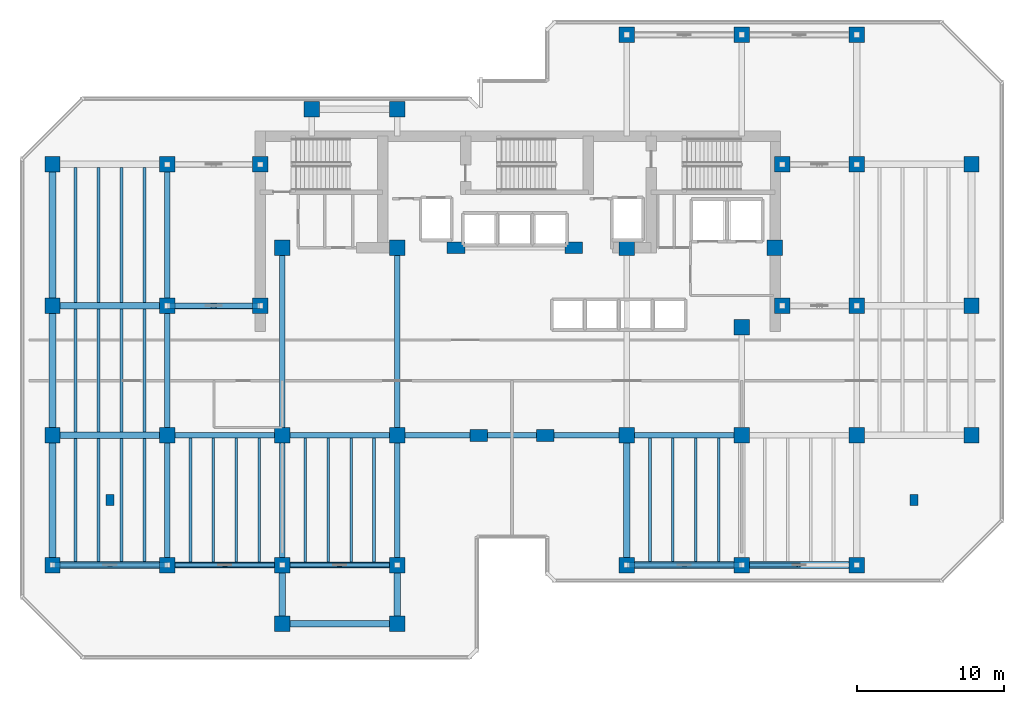
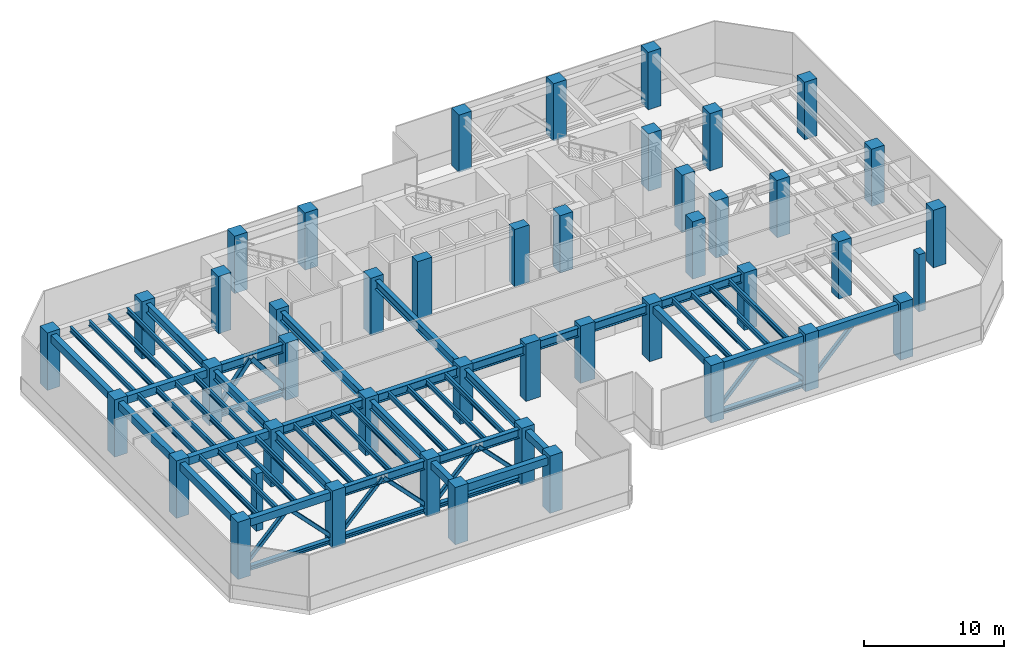
# One storey, part 1 of 10: 52 beams, 45 columns, 16 members.
"""IFC4 building model written with IfcOpenShell, lengths in metres."""

from ifc_helpers import new_model, si_unit, direction, frame, origin, origin_2d, place, context, subcontext, project, spatial, rectangle, hollow_rectangle, i_section, extrude, material, material_profile, profile_set, type_object, element, save


model = new_model("IFC4")

# Units and contexts
model_context = context("Model", 3, precision=1e-05, world=origin(), true_north=direction((0.0, 1.0)))
body_context = subcontext(model_context, "Body", "Model", "MODEL_VIEW")
ifc_project = project(units=[si_unit("LENGTHUNIT", "METRE"), si_unit("AREAUNIT", "SQUARE_METRE"), si_unit("VOLUMEUNIT", "CUBIC_METRE"), si_unit("PLANEANGLEUNIT", "RADIAN"), si_unit("MASSUNIT", "GRAM", prefix="KILO")], contexts=[model_context])

# Site, building, storey
site_placement = place(None, origin())
site = spatial("IfcSite", under=ifc_project, at=site_placement, CompositionType="ELEMENT")
building_placement = place(site_placement, origin())
building = spatial("IfcBuilding", under=site, at=building_placement, Name="Kestravale Grand Hotel", CompositionType="ELEMENT")
storey_placement = place(building_placement, frame((0.0, 0.0, 184.0)))
storey = spatial("IfcBuildingStorey", under=building, at=storey_placement, Name="L46", CompositionType="ELEMENT", Elevation=184.0)

# Columns
ifc_material_1 = material(Name="Concrete f'c 60 MPa", Category="concrete")
ifc_material_profile_1 = material_profile(ifc_material_1, rectangle(XDim=1.050048828125, YDim=1.050048828125, at=origin_2d()))
ifc_profile_set_1 = profile_set([ifc_material_profile_1], Name="Concrete f'c 60 MPa")
column_type_1 = type_object("IfcColumnType", Name="C-Z3-1050", PredefinedType="COLUMN", material=ifc_profile_set_1)
for number, where, z_axis, x_axis, name in (
    (1, (7.800048828125, 11.199951171875, 0.0), (0.0, 0.0, 1.0), (1.0, 0.0, 0.0), "L46 column 2-C"),
    (2, (7.800048828125, 20.0, 0.0), (0.0, 0.0, 1.0), (1.0, 0.0, 0.0), "L46 column 2-D"),
    (3, (7.800048828125, 28.800048828125, 0.0), (0.0, 0.0, 1.0), (1.0, 0.0, 0.0), "L46 column 2-E"),
    (4, (7.800048828125, 38.39990234375, 0.0), (0.0, 0.0, 1.0), (1.0, 0.0, 0.0), "L46 column 2-F"),
    (5, (15.60009765625, 11.199951171875, 0.0), (0.0, 0.0, 1.0), (1.0, 0.0, 0.0), "L46 column 3-C"),
    (6, (15.60009765625, 20.0, 0.0), (0.0, 0.0, 1.0), (1.0, 0.0, 0.0), "L46 column 3-D"),
    (7, (15.60009765625, 28.800048828125, 0.0), (0.0, 0.0, 1.0), (1.0, 0.0, 0.0), "L46 column 3-E"),
    (8, (15.60009765625, 38.39990234375, 0.0), (0.0, 0.0, 1.0), (1.0, 0.0, 0.0), "L46 column 3-F"),
    (9, (23.39990234375, 11.199951171875, 0.0), (0.0, 0.0, 1.0), (1.0, 0.0, 0.0), "L46 column 4-C"),
    (10, (23.39990234375, 20.0, 0.0), (0.0, 0.0, 1.0), (1.0, 0.0, 0.0), "L46 column 4-D"),
    (11, (31.199951171875, 11.199951171875, 0.0), (0.0, 0.0, 1.0), (1.0, 0.0, 0.0), "L46 column 5-C"),
    (12, (31.199951171875, 20.0, 0.0), (0.0, 0.0, 1.0), (1.0, 0.0, 0.0), "L46 column 5-D"),
    (13, (46.800048828125, 11.199951171875, 0.0), (0.0, 0.0, 1.0), (1.0, 0.0, 0.0), "L46 column 8-C"),
    (14, (46.800048828125, 20.0, 0.0), (0.0, 0.0, 1.0), (1.0, 0.0, 0.0), "L46 column 8-D"),
    (15, (46.800048828125, 47.199951171875, 0.0), (0.0, 0.0, 1.0), (1.0, 0.0, 0.0), "L46 column 8-G"),
    (16, (54.60009765625, 11.199951171875, 0.0), (0.0, 0.0, 1.0), (1.0, 0.0, 0.0), "L46 column 9-C"),
    (17, (54.60009765625, 20.0, 0.0), (0.0, 0.0, 1.0), (1.0, 0.0, 0.0), "L46 column 9-D"),
    (18, (54.60009765625, 47.199951171875, 0.0), (0.0, 0.0, 1.0), (1.0, 0.0, 0.0), "L46 column 9-G"),
    (19, (62.39990234375, 11.199951171875, 0.0), (0.0, 0.0, 1.0), (1.0, 0.0, 0.0), "L46 column 10-C"),
    (20, (62.39990234375, 20.0, 0.0), (0.0, 0.0, 1.0), (1.0, 0.0, 0.0), "L46 column 10-D"),
    (21, (62.39990234375, 28.800048828125, 0.0), (0.0, 0.0, 1.0), (1.0, 0.0, 0.0), "L46 column 10-E"),
    (22, (62.39990234375, 38.39990234375, 0.0), (0.0, 0.0, 1.0), (1.0, 0.0, 0.0), "L46 column 10-F"),
    (23, (62.39990234375, 47.199951171875, 0.0), (0.0, 0.0, 1.0), (1.0, 0.0, 0.0), "L46 column 10-G"),
    (24, (70.199951171875, 20.0, 0.0), (0.0, 0.0, 1.0), (1.0, 0.0, 0.0), "L46 column 11-D"),
    (25, (70.199951171875, 28.800048828125, 0.0), (0.0, 0.0, 1.0), (1.0, 0.0, 0.0), "L46 column 11-E"),
    (26, (70.199951171875, 38.39990234375, 0.0), (0.0, 0.0, 1.0), (1.0, 0.0, 0.0), "L46 column 11-F"),
    (27, (21.89990234375, 28.800048828125, 0.0), (0.0, 0.0, 1.0), (1.0, 0.0, 0.0), "L46 column CW-E"),
    (28, (21.89990234375, 38.39990234375, 0.0), (0.0, 0.0, 1.0), (1.0, 0.0, 0.0), "L46 column CW-F"),
    (29, (57.35009765625, 28.800048828125, 0.0), (0.0, 0.0, 1.0), (1.0, 0.0, 0.0), "L46 column CE-E"),
    (30, (57.35009765625, 38.39990234375, 0.0), (0.0, 0.0, 1.0), (1.0, 0.0, 0.0), "L46 column CE-F"),
    (31, (23.39990234375, 32.75, 0.0), (0.0, 0.0, 1.0), (1.0, 0.0, 0.0), "L46 column 4-CS"),
    (32, (31.199951171875, 32.75, 0.0), (0.0, 0.0, 1.0), (1.0, 0.0, 0.0), "L46 column 5-CS"),
    (33, (46.800048828125, 32.75, 0.0), (0.0, 0.0, 1.0), (1.0, 0.0, 0.0), "L46 column 8-CS"),
    (34, (54.60009765625, 27.35009765625, 0.0), (0.0, 0.0, 1.0), (1.0, 0.0, 0.0), "L46 column 9-CS"),
    (35, (56.85009765625, 32.75, 0.0), (0.0, 0.0, 1.0), (1.0, 0.0, 0.0), "L46 column 9C-CS"),
    (36, (23.39990234375, 7.199951171875, 0.0), (0.0, 0.0, 1.0), (1.0, 0.0, 0.0), "L46 column 4-BS"),
    (37, (31.199951171875, 7.199951171875, 0.0), (0.0, 0.0, 1.0), (1.0, 0.0, 0.0), "L46 column 5-BS"),
    (38, (25.39990234375, 42.14990234375, 0.0), (0.0, 0.0, 1.0), (1.0, 0.0, 0.0), "L46 column 4-FN"),
    (39, (31.199951171875, 42.14990234375, 0.0), (0.0, 0.0, 1.0), (1.0, 0.0, 0.0), "L46 column 5-FN"),
):
    element("IfcColumn", number, at=place(storey_placement, frame(where, z_axis=z_axis, x_axis=x_axis)), inside=storey, type_object=column_type_1, Name=name, PredefinedType="COLUMN", context=body_context, shape_type="SweptSolid", body=[
        extrude(rectangle(XDim=1.050048828125, YDim=1.050048828125, at=origin_2d()), origin(), (0.0, 0.0, 1.0), 5.0),
    ])
ifc_material_2 = material(Name="Concrete f'c 60 MPa", Category="concrete")
ifc_material_profile_2 = material_profile(ifc_material_2, rectangle(XDim=1.199951171875, YDim=0.800048828125, at=origin_2d()))
ifc_profile_set_2 = profile_set([ifc_material_profile_2], Name="Concrete f'c 60 MPa")
column_type_2 = type_object("IfcColumnType", Name="C-Z3-1200X800", PredefinedType="COLUMN", material=ifc_profile_set_2)
for number, where, z_axis, x_axis, name in (
    (40, (36.75, 20.0, 0.0), (0.0, 0.0, 1.0), (1.0, 0.0, 0.0), "L46 column 6-D"),
    (41, (41.25, 20.0, 0.0), (0.0, 0.0, 1.0), (1.0, 0.0, 0.0), "L46 column 7-D"),
    (42, (35.199951171875, 32.75, 0.0), (0.0, 0.0, 1.0), (1.0, 0.0, 0.0), "L46 column 6C-CS"),
    (43, (43.199951171875, 32.75, 0.0), (0.0, 0.0, 1.0), (1.0, 0.0, 0.0), "L46 column 7C-CS"),
):
    element("IfcColumn", number, at=place(storey_placement, frame(where, z_axis=z_axis, x_axis=x_axis)), inside=storey, type_object=column_type_2, Name=name, PredefinedType="COLUMN", context=body_context, shape_type="SweptSolid", body=[
        extrude(rectangle(XDim=1.199951171875, YDim=0.800048828125, at=origin_2d()), origin(), (0.0, 0.0, 1.0), 5.0),
    ])
ifc_material_3 = material(Name="Precast concrete f'c 45 MPa", Category="concrete")
ifc_material_profile_3 = material_profile(ifc_material_3, rectangle(XDim=0.550048828125, YDim=0.75, at=origin_2d()))
ifc_profile_set_3 = profile_set([ifc_material_profile_3], Name="Precast concrete f'c 45 MPa")
column_type_3 = type_object("IfcColumnType", Name="C-Z3-PIL750", PredefinedType="PILASTER", material=ifc_profile_set_3)
for number, where, z_axis, x_axis, name in (
    (44, (11.699951171875, 15.60009765625, 0.0), (0.0, 0.0, 1.0), (1.0, 0.0, 0.0), "L46 Art Deco fluted pilaster P1"),
    (45, (66.300048828125, 15.60009765625, 0.0), (0.0, 0.0, 1.0), (1.0, 0.0, 0.0), "L46 Art Deco fluted pilaster P2"),
):
    element("IfcColumn", number, at=place(storey_placement, frame(where, z_axis=z_axis, x_axis=x_axis)), inside=storey, type_object=column_type_3, Name=name, PredefinedType="PILASTER", context=body_context, shape_type="SweptSolid", body=[
        extrude(rectangle(XDim=0.550048828125, YDim=0.75, at=origin_2d()), origin(), (0.0, 0.0, 1.0), 5.0),
    ])

# Beams
ifc_material_4 = material(Name="Steel ASTM A992 Grade 50", Category="steel")
ifc_material_profile_4 = material_profile(ifc_material_4, i_section(OverallWidth=0.19091796875, OverallDepth=0.45703125, WebThickness=0.009033203125, FlangeThickness=0.014404296875, FilletRadius=0.015380859375, at=origin_2d()))
ifc_profile_set_4 = profile_set([ifc_material_profile_4], Name="Steel ASTM A992 Grade 50")
beam_type_1 = type_object("IfcBeamType", Name="B-FLR-JST18", PredefinedType="JOIST", material=ifc_profile_set_4)
for number, where, z_axis, x_axis, name in (
    (46, (9.360107421875, 11.425048828125, 4.4814453125), (0.0, 1.0, 0.0), (-1.0, 0.0, 0.0), "L46 floor joist 2-3/C-D #1"),
    (47, (10.919921875, 11.425048828125, 4.4814453125), (0.0, 1.0, 0.0), (-1.0, 0.0, 0.0), "L46 floor joist 2-3/C-D #2"),
    (48, (12.47998046875, 11.425048828125, 4.4814453125), (0.0, 1.0, 0.0), (-1.0, 0.0, 0.0), "L46 floor joist 2-3/C-D #3"),
    (49, (14.0400390625, 11.425048828125, 4.4814453125), (0.0, 1.0, 0.0), (-1.0, 0.0, 0.0), "L46 floor joist 2-3/C-D #4"),
    (50, (9.360107421875, 20.22509765625, 4.4814453125), (0.0, 1.0, 0.0), (-1.0, 0.0, 0.0), "L46 floor joist 2-3/D-E #1"),
    (51, (10.919921875, 20.22509765625, 4.4814453125), (0.0, 1.0, 0.0), (-1.0, 0.0, 0.0), "L46 floor joist 2-3/D-E #2"),
    (52, (12.47998046875, 20.22509765625, 4.4814453125), (0.0, 1.0, 0.0), (-1.0, 0.0, 0.0), "L46 floor joist 2-3/D-E #3"),
    (53, (14.0400390625, 20.22509765625, 4.4814453125), (0.0, 1.0, 0.0), (-1.0, 0.0, 0.0), "L46 floor joist 2-3/D-E #4"),
):
    element("IfcBeam", number, at=place(storey_placement, frame(where, z_axis=z_axis, x_axis=x_axis)), inside=storey, type_object=beam_type_1, Name=name, PredefinedType="JOIST", context=body_context, shape_type="SweptSolid", body=[
        extrude(i_section(OverallWidth=0.19091796875, OverallDepth=0.45703125, WebThickness=0.009033203125, FlangeThickness=0.014404296875, FilletRadius=0.015380859375, at=origin_2d()), origin(), (0.0, 0.0, 1.0), 8.349853515625),
    ])
for number, where, z_axis, x_axis, name in (
    (54, (9.360107421875, 29.02490234375, 4.4814453125), (0.0, 1.0, 0.0), (-1.0, 0.0, 0.0), "L46 floor joist 2-3/E-F #1"),
    (55, (10.919921875, 29.02490234375, 4.4814453125), (0.0, 1.0, 0.0), (-1.0, 0.0, 0.0), "L46 floor joist 2-3/E-F #2"),
    (56, (12.47998046875, 29.02490234375, 4.4814453125), (0.0, 1.0, 0.0), (-1.0, 0.0, 0.0), "L46 floor joist 2-3/E-F #3"),
    (57, (14.0400390625, 29.02490234375, 4.4814453125), (0.0, 1.0, 0.0), (-1.0, 0.0, 0.0), "L46 floor joist 2-3/E-F #4"),
):
    element("IfcBeam", number, at=place(storey_placement, frame(where, z_axis=z_axis, x_axis=x_axis)), inside=storey, type_object=beam_type_1, Name=name, PredefinedType="JOIST", context=body_context, shape_type="SweptSolid", body=[
        extrude(i_section(OverallWidth=0.19091796875, OverallDepth=0.45703125, WebThickness=0.009033203125, FlangeThickness=0.014404296875, FilletRadius=0.015380859375, at=origin_2d()), origin(), (0.0, 0.0, 1.0), 9.150146484375),
    ])
for number, where, z_axis, x_axis, name in (
    (58, (17.159912109375, 11.390380859375, 4.4814453125), (0.0, 1.0, 0.0), (-1.0, 0.0, 0.0), "L46 floor joist 3-4/C-D #1"),
    (59, (18.719970703125, 11.390380859375, 4.4814453125), (0.0, 1.0, 0.0), (-1.0, 0.0, 0.0), "L46 floor joist 3-4/C-D #2"),
    (60, (20.280029296875, 11.390380859375, 4.4814453125), (0.0, 1.0, 0.0), (-1.0, 0.0, 0.0), "L46 floor joist 3-4/C-D #3"),
    (61, (21.840087890625, 11.390380859375, 4.4814453125), (0.0, 1.0, 0.0), (-1.0, 0.0, 0.0), "L46 floor joist 3-4/C-D #4"),
    (62, (24.9599609375, 11.390380859375, 4.4814453125), (0.0, 1.0, 0.0), (-1.0, 0.0, 0.0), "L46 floor joist 4-5/C-D #1"),
    (63, (26.52001953125, 11.390380859375, 4.4814453125), (0.0, 1.0, 0.0), (-1.0, 0.0, 0.0), "L46 floor joist 4-5/C-D #2"),
    (64, (28.080078125, 11.390380859375, 4.4814453125), (0.0, 1.0, 0.0), (-1.0, 0.0, 0.0), "L46 floor joist 4-5/C-D #3"),
    (65, (29.639892578125, 11.390380859375, 4.4814453125), (0.0, 1.0, 0.0), (-1.0, 0.0, 0.0), "L46 floor joist 4-5/C-D #4"),
):
    element("IfcBeam", number, at=place(storey_placement, frame(where, z_axis=z_axis, x_axis=x_axis)), inside=storey, type_object=beam_type_1, Name=name, PredefinedType="JOIST", context=body_context, shape_type="SweptSolid", body=[
        extrude(i_section(OverallWidth=0.19091796875, OverallDepth=0.45703125, WebThickness=0.009033203125, FlangeThickness=0.014404296875, FilletRadius=0.015380859375, at=origin_2d()), origin(), (0.0, 0.0, 1.0), 8.419189453125),
    ])
for number, where, z_axis, x_axis, name in (
    (66, (48.360107421875, 11.425048828125, 4.4814453125), (0.0, 1.0, 0.0), (-1.0, 0.0, 0.0), "L46 floor joist 8-9/C-D #1"),
    (67, (49.919921875, 11.425048828125, 4.4814453125), (0.0, 1.0, 0.0), (-1.0, 0.0, 0.0), "L46 floor joist 8-9/C-D #2"),
    (68, (51.47998046875, 11.425048828125, 4.4814453125), (0.0, 1.0, 0.0), (-1.0, 0.0, 0.0), "L46 floor joist 8-9/C-D #3"),
    (69, (53.0400390625, 11.425048828125, 4.4814453125), (0.0, 1.0, 0.0), (-1.0, 0.0, 0.0), "L46 floor joist 8-9/C-D #4"),
):
    element("IfcBeam", number, at=place(storey_placement, frame(where, z_axis=z_axis, x_axis=x_axis)), inside=storey, type_object=beam_type_1, Name=name, PredefinedType="JOIST", context=body_context, shape_type="SweptSolid", body=[
        extrude(i_section(OverallWidth=0.19091796875, OverallDepth=0.45703125, WebThickness=0.009033203125, FlangeThickness=0.014404296875, FilletRadius=0.015380859375, at=origin_2d()), origin(), (0.0, 0.0, 1.0), 8.384521484375),
    ])
ifc_material_5 = material(Name="Concrete f'c 45 MPa", Category="concrete")
ifc_material_profile_5 = material_profile(ifc_material_5, rectangle(XDim=0.449951171875, YDim=0.64990234375, at=origin_2d()))
ifc_profile_set_5 = profile_set([ifc_material_profile_5], Name="Concrete f'c 45 MPa")
beam_type_2 = type_object("IfcBeamType", Name="B-FLR-RC650", PredefinedType="SPANDREL", material=ifc_profile_set_5)
for number, where, z_axis, x_axis, name in (
    (70, (7.800048828125, 11.199951171875, 4.385009765625), (1.0, 0.0, 0.0), (0.0, 1.0, 0.0), "L46 spandrel C:2-3"),
    (71, (46.800048828125, 11.199951171875, 4.385009765625), (1.0, 0.0, 0.0), (0.0, 1.0, 0.0), "L46 spandrel C:8-9"),
):
    element("IfcBeam", number, at=place(storey_placement, frame(where, z_axis=z_axis, x_axis=x_axis)), inside=storey, type_object=beam_type_2, Name=name, PredefinedType="SPANDREL", context=body_context, shape_type="SweptSolid", body=[
        extrude(rectangle(XDim=0.449951171875, YDim=0.64990234375, at=origin_2d()), origin(), (0.0, 0.0, 1.0), 7.800048828125),
    ])
beam_1_placement = place(storey_placement, frame((54.60009765625, 11.199951171875, 4.385009765625), z_axis=(1.0, 0.0, 0.0), x_axis=(0.0, 1.0, 0.0)))
element("IfcBeam", 72, at=beam_1_placement, inside=storey, type_object=beam_type_2, Name="L46 spandrel C:9-10", PredefinedType="SPANDREL", context=body_context, shape_type="SweptSolid", body=[
    extrude(rectangle(XDim=0.449951171875, YDim=0.64990234375, at=origin_2d()), origin(), (0.0, 0.0, 1.0), 7.7998046875),
])
for number, where, z_axis, x_axis, name in (
    (73, (7.800048828125, 20.0, 4.385009765625), (1.0, 0.0, 0.0), (0.0, 1.0, 0.0), "L46 spandrel D:2-3"),
    (74, (7.800048828125, 28.800048828125, 4.385009765625), (1.0, 0.0, 0.0), (0.0, 1.0, 0.0), "L46 spandrel E:2-3"),
    (75, (23.39990234375, 7.199951171875, 4.385009765625), (1.0, 0.0, 0.0), (0.0, 1.0, 0.0), "L46 perimeter tie spandrel BS:4-5"),
):
    element("IfcBeam", number, at=place(storey_placement, frame(where, z_axis=z_axis, x_axis=x_axis)), inside=storey, type_object=beam_type_2, Name=name, PredefinedType="SPANDREL", context=body_context, shape_type="SweptSolid", body=[
        extrude(rectangle(XDim=0.449951171875, YDim=0.64990234375, at=origin_2d()), origin(), (0.0, 0.0, 1.0), 7.800048828125),
    ])
for number, where, z_axis, x_axis, name in (
    (76, (7.800048828125, 11.199951171875, 4.385009765625), (0.0, 1.0, 0.0), (-1.0, 0.0, 0.0), "L46 spandrel 2:C-D"),
    (77, (7.800048828125, 20.0, 4.385009765625), (0.0, 1.0, 0.0), (-1.0, 0.0, 0.0), "L46 spandrel 2:D-E"),
):
    element("IfcBeam", number, at=place(storey_placement, frame(where, z_axis=z_axis, x_axis=x_axis)), inside=storey, type_object=beam_type_2, Name=name, PredefinedType="SPANDREL", context=body_context, shape_type="SweptSolid", body=[
        extrude(rectangle(XDim=0.449951171875, YDim=0.64990234375, at=origin_2d()), origin(), (0.0, 0.0, 1.0), 8.800048828125),
    ])
beam_2_placement = place(storey_placement, frame((7.800048828125, 28.800048828125, 4.385009765625), z_axis=(0.0, 1.0, 0.0), x_axis=(-1.0, 0.0, 0.0)))
element("IfcBeam", 78, at=beam_2_placement, inside=storey, type_object=beam_type_2, Name="L46 spandrel 2:E-F", PredefinedType="SPANDREL", context=body_context, shape_type="SweptSolid", body=[
    extrude(rectangle(XDim=0.449951171875, YDim=0.64990234375, at=origin_2d()), origin(), (0.0, 0.0, 1.0), 9.599853515625),
])
for number, where, z_axis, x_axis, name in (
    (79, (23.39990234375, 7.199951171875, 4.385009765625), (0.0, 1.0, 0.0), (-1.0, 0.0, 0.0), "L46 spandrel 4:BS-C"),
    (80, (31.199951171875, 7.199951171875, 4.385009765625), (0.0, 1.0, 0.0), (-1.0, 0.0, 0.0), "L46 spandrel 5:BS-C"),
):
    element("IfcBeam", number, at=place(storey_placement, frame(where, z_axis=z_axis, x_axis=x_axis)), inside=storey, type_object=beam_type_2, Name=name, PredefinedType="SPANDREL", context=body_context, shape_type="SweptSolid", body=[
        extrude(rectangle(XDim=0.449951171875, YDim=0.64990234375, at=origin_2d()), origin(), (0.0, 0.0, 1.0), 4.0),
    ])
beam_3_placement = place(storey_placement, frame((46.800048828125, 11.199951171875, 4.385009765625), z_axis=(0.0, 1.0, 0.0), x_axis=(-1.0, 0.0, 0.0)))
element("IfcBeam", 81, at=beam_3_placement, inside=storey, type_object=beam_type_2, Name="L46 spandrel 8:C-D", PredefinedType="SPANDREL", context=body_context, shape_type="SweptSolid", body=[
    extrude(rectangle(XDim=0.449951171875, YDim=0.64990234375, at=origin_2d()), origin(), (0.0, 0.0, 1.0), 8.800048828125),
])
ifc_material_6 = material(Name="Steel ASTM A992 Grade 50", Category="steel")
ifc_material_profile_6 = material_profile(ifc_material_6, i_section(OverallWidth=0.381103515625, OverallDepth=0.77197265625, WebThickness=0.0166015625, FlangeThickness=0.027099609375, FilletRadius=0.023681640625, at=origin_2d()))
ifc_profile_set_6 = profile_set([ifc_material_profile_6], Name="Steel ASTM A992 Grade 50")
beam_type_3 = type_object("IfcBeamType", Name="B-GRD-W30", PredefinedType="BEAM", material=ifc_profile_set_6)
beam_4_placement = place(storey_placement, frame((15.60009765625, 11.199951171875, 4.323974609375), z_axis=(1.0, 0.0, 0.0), x_axis=(0.0, 1.0, 0.0)))
element("IfcBeam", 82, at=beam_4_placement, inside=storey, type_object=beam_type_3, Name="L46 girder C:3-4", PredefinedType="BEAM", context=body_context, shape_type="SweptSolid", body=[
    extrude(i_section(OverallWidth=0.381103515625, OverallDepth=0.77197265625, WebThickness=0.0166015625, FlangeThickness=0.027099609375, FilletRadius=0.023681640625, at=origin_2d()), origin(), (0.0, 0.0, 1.0), 7.7998046875),
])
beam_5_placement = place(storey_placement, frame((23.39990234375, 11.199951171875, 4.323974609375), z_axis=(1.0, 0.0, 0.0), x_axis=(0.0, 1.0, 0.0)))
element("IfcBeam", 83, at=beam_5_placement, inside=storey, type_object=beam_type_3, Name="L46 girder C:4-5", PredefinedType="BEAM", context=body_context, shape_type="SweptSolid", body=[
    extrude(i_section(OverallWidth=0.381103515625, OverallDepth=0.77197265625, WebThickness=0.0166015625, FlangeThickness=0.027099609375, FilletRadius=0.023681640625, at=origin_2d()), origin(), (0.0, 0.0, 1.0), 7.800048828125),
])
beam_6_placement = place(storey_placement, frame((15.60009765625, 20.0, 4.323974609375), z_axis=(1.0, 0.0, 0.0), x_axis=(0.0, 1.0, 0.0)))
element("IfcBeam", 84, at=beam_6_placement, inside=storey, type_object=beam_type_3, Name="L46 girder D:3-4", PredefinedType="BEAM", context=body_context, shape_type="SweptSolid", body=[
    extrude(i_section(OverallWidth=0.381103515625, OverallDepth=0.77197265625, WebThickness=0.0166015625, FlangeThickness=0.027099609375, FilletRadius=0.023681640625, at=origin_2d()), origin(), (0.0, 0.0, 1.0), 7.7998046875),
])
beam_7_placement = place(storey_placement, frame((23.39990234375, 20.0, 4.323974609375), z_axis=(1.0, 0.0, 0.0), x_axis=(0.0, 1.0, 0.0)))
element("IfcBeam", 85, at=beam_7_placement, inside=storey, type_object=beam_type_3, Name="L46 girder D:4-5", PredefinedType="BEAM", context=body_context, shape_type="SweptSolid", body=[
    extrude(i_section(OverallWidth=0.381103515625, OverallDepth=0.77197265625, WebThickness=0.0166015625, FlangeThickness=0.027099609375, FilletRadius=0.023681640625, at=origin_2d()), origin(), (0.0, 0.0, 1.0), 7.800048828125),
])
beam_8_placement = place(storey_placement, frame((31.199951171875, 20.0, 4.323974609375), z_axis=(1.0, 0.0, 0.0), x_axis=(0.0, 1.0, 0.0)))
element("IfcBeam", 86, at=beam_8_placement, inside=storey, type_object=beam_type_3, Name="L46 girder D:5-6", PredefinedType="BEAM", context=body_context, shape_type="SweptSolid", body=[
    extrude(i_section(OverallWidth=0.381103515625, OverallDepth=0.77197265625, WebThickness=0.0166015625, FlangeThickness=0.027099609375, FilletRadius=0.023681640625, at=origin_2d()), origin(), (0.0, 0.0, 1.0), 5.550048828125),
])
beam_9_placement = place(storey_placement, frame((36.75, 20.0, 4.323974609375), z_axis=(1.0, 0.0, 0.0), x_axis=(0.0, 1.0, 0.0)))
element("IfcBeam", 87, at=beam_9_placement, inside=storey, type_object=beam_type_3, Name="L46 girder D:6-7", PredefinedType="BEAM", context=body_context, shape_type="SweptSolid", body=[
    extrude(i_section(OverallWidth=0.381103515625, OverallDepth=0.77197265625, WebThickness=0.0166015625, FlangeThickness=0.027099609375, FilletRadius=0.023681640625, at=origin_2d()), origin(), (0.0, 0.0, 1.0), 4.5),
])
beam_10_placement = place(storey_placement, frame((41.25, 20.0, 4.323974609375), z_axis=(1.0, 0.0, 0.0), x_axis=(0.0, 1.0, 0.0)))
element("IfcBeam", 88, at=beam_10_placement, inside=storey, type_object=beam_type_3, Name="L46 girder D:7-8", PredefinedType="BEAM", context=body_context, shape_type="SweptSolid", body=[
    extrude(i_section(OverallWidth=0.381103515625, OverallDepth=0.77197265625, WebThickness=0.0166015625, FlangeThickness=0.027099609375, FilletRadius=0.023681640625, at=origin_2d()), origin(), (0.0, 0.0, 1.0), 5.550048828125),
])
beam_11_placement = place(storey_placement, frame((46.800048828125, 20.0, 4.323974609375), z_axis=(1.0, 0.0, 0.0), x_axis=(0.0, 1.0, 0.0)))
element("IfcBeam", 89, at=beam_11_placement, inside=storey, type_object=beam_type_3, Name="L46 girder D:8-9", PredefinedType="BEAM", context=body_context, shape_type="SweptSolid", body=[
    extrude(i_section(OverallWidth=0.381103515625, OverallDepth=0.77197265625, WebThickness=0.0166015625, FlangeThickness=0.027099609375, FilletRadius=0.023681640625, at=origin_2d()), origin(), (0.0, 0.0, 1.0), 7.800048828125),
])
beam_12_placement = place(storey_placement, frame((15.60009765625, 28.800048828125, 4.323974609375), z_axis=(1.0, 0.0, 0.0), x_axis=(0.0, 1.0, 0.0)))
element("IfcBeam", 90, at=beam_12_placement, inside=storey, type_object=beam_type_3, Name="L46 girder E:3-CW", PredefinedType="BEAM", context=body_context, shape_type="SweptSolid", body=[
    extrude(i_section(OverallWidth=0.381103515625, OverallDepth=0.77197265625, WebThickness=0.0166015625, FlangeThickness=0.027099609375, FilletRadius=0.023681640625, at=origin_2d()), origin(), (0.0, 0.0, 1.0), 6.2998046875),
])
for number, where, z_axis, x_axis, name in (
    (91, (15.60009765625, 11.199951171875, 4.323974609375), (0.0, 1.0, 0.0), (-1.0, 0.0, 0.0), "L46 girder 3:C-D"),
    (92, (15.60009765625, 20.0, 4.323974609375), (0.0, 1.0, 0.0), (-1.0, 0.0, 0.0), "L46 girder 3:D-E"),
):
    element("IfcBeam", number, at=place(storey_placement, frame(where, z_axis=z_axis, x_axis=x_axis)), inside=storey, type_object=beam_type_3, Name=name, PredefinedType="BEAM", context=body_context, shape_type="SweptSolid", body=[
        extrude(i_section(OverallWidth=0.381103515625, OverallDepth=0.77197265625, WebThickness=0.0166015625, FlangeThickness=0.027099609375, FilletRadius=0.023681640625, at=origin_2d()), origin(), (0.0, 0.0, 1.0), 8.800048828125),
    ])
beam_13_placement = place(storey_placement, frame((15.60009765625, 28.800048828125, 4.323974609375), z_axis=(0.0, 1.0, 0.0), x_axis=(-1.0, 0.0, 0.0)))
element("IfcBeam", 93, at=beam_13_placement, inside=storey, type_object=beam_type_3, Name="L46 girder 3:E-F", PredefinedType="BEAM", context=body_context, shape_type="SweptSolid", body=[
    extrude(i_section(OverallWidth=0.381103515625, OverallDepth=0.77197265625, WebThickness=0.0166015625, FlangeThickness=0.027099609375, FilletRadius=0.023681640625, at=origin_2d()), origin(), (0.0, 0.0, 1.0), 9.599853515625),
])
beam_14_placement = place(storey_placement, frame((23.39990234375, 11.199951171875, 4.323974609375), z_axis=(0.0, 1.0, 0.0), x_axis=(-1.0, 0.0, 0.0)))
element("IfcBeam", 94, at=beam_14_placement, inside=storey, type_object=beam_type_3, Name="L46 girder 4:C-D", PredefinedType="BEAM", context=body_context, shape_type="SweptSolid", body=[
    extrude(i_section(OverallWidth=0.381103515625, OverallDepth=0.77197265625, WebThickness=0.0166015625, FlangeThickness=0.027099609375, FilletRadius=0.023681640625, at=origin_2d()), origin(), (0.0, 0.0, 1.0), 8.800048828125),
])
beam_15_placement = place(storey_placement, frame((23.39990234375, 20.0, 4.323974609375), z_axis=(0.0, 1.0, 0.0), x_axis=(-1.0, 0.0, 0.0)))
element("IfcBeam", 95, at=beam_15_placement, inside=storey, type_object=beam_type_3, Name="L46 girder 4:D-CS", PredefinedType="BEAM", context=body_context, shape_type="SweptSolid", body=[
    extrude(i_section(OverallWidth=0.381103515625, OverallDepth=0.77197265625, WebThickness=0.0166015625, FlangeThickness=0.027099609375, FilletRadius=0.023681640625, at=origin_2d()), origin(), (0.0, 0.0, 1.0), 12.75),
])
beam_16_placement = place(storey_placement, frame((31.199951171875, 11.199951171875, 4.323974609375), z_axis=(0.0, 1.0, 0.0), x_axis=(-1.0, 0.0, 0.0)))
element("IfcBeam", 96, at=beam_16_placement, inside=storey, type_object=beam_type_3, Name="L46 girder 5:C-D", PredefinedType="BEAM", context=body_context, shape_type="SweptSolid", body=[
    extrude(i_section(OverallWidth=0.381103515625, OverallDepth=0.77197265625, WebThickness=0.0166015625, FlangeThickness=0.027099609375, FilletRadius=0.023681640625, at=origin_2d()), origin(), (0.0, 0.0, 1.0), 8.800048828125),
])
beam_17_placement = place(storey_placement, frame((31.199951171875, 20.0, 4.323974609375), z_axis=(0.0, 1.0, 0.0), x_axis=(-1.0, 0.0, 0.0)))
element("IfcBeam", 97, at=beam_17_placement, inside=storey, type_object=beam_type_3, Name="L46 girder 5:D-CS", PredefinedType="BEAM", context=body_context, shape_type="SweptSolid", body=[
    extrude(i_section(OverallWidth=0.381103515625, OverallDepth=0.77197265625, WebThickness=0.0166015625, FlangeThickness=0.027099609375, FilletRadius=0.023681640625, at=origin_2d()), origin(), (0.0, 0.0, 1.0), 12.75),
])

# Members
ifc_material_7 = material(Name="Steel ASTM A992 Grade 50", Category="steel")
ifc_material_profile_7 = material_profile(ifc_material_7, i_section(OverallWidth=0.373046875, OverallDepth=0.373046875, WebThickness=0.016357421875, FlangeThickness=0.026123046875, FilletRadius=0.016845703125, at=origin_2d()))
ifc_profile_set_7 = profile_set([ifc_material_profile_7], Name="Steel ASTM A992 Grade 50")
member_type_1 = type_object("IfcMemberType", Name="M-BLT-CHD132", PredefinedType="CHORD", material=ifc_profile_set_7)
member_1_placement = place(storey_placement, frame((7.800048828125, 11.199951171875, 0.35009765625), z_axis=(1.0, 0.0, 0.0), x_axis=(0.0, 1.0, 0.0)))
element("IfcMember", 98, at=member_1_placement, inside=storey, type_object=member_type_1, Name="L46 belt truss bottom chord C:2-3", PredefinedType="CHORD", context=body_context, shape_type="SweptSolid", body=[
    extrude(i_section(OverallWidth=0.373046875, OverallDepth=0.373046875, WebThickness=0.016357421875, FlangeThickness=0.026123046875, FilletRadius=0.016845703125, at=origin_2d()), origin(), (0.0, 0.0, 1.0), 7.800048828125),
])
member_2_placement = place(storey_placement, frame((15.60009765625, 11.199951171875, 0.35009765625), z_axis=(1.0, 0.0, 0.0), x_axis=(0.0, 1.0, 0.0)))
element("IfcMember", 99, at=member_2_placement, inside=storey, type_object=member_type_1, Name="L46 belt truss bottom chord C:3-4", PredefinedType="CHORD", context=body_context, shape_type="SweptSolid", body=[
    extrude(i_section(OverallWidth=0.373046875, OverallDepth=0.373046875, WebThickness=0.016357421875, FlangeThickness=0.026123046875, FilletRadius=0.016845703125, at=origin_2d()), origin(), (0.0, 0.0, 1.0), 7.7998046875),
])
for number, where, z_axis, x_axis, name in (
    (100, (23.39990234375, 11.199951171875, 0.35009765625), (1.0, 0.0, 0.0), (0.0, 1.0, 0.0), "L46 belt truss bottom chord C:4-5"),
    (101, (46.800048828125, 11.199951171875, 0.35009765625), (1.0, 0.0, 0.0), (0.0, 1.0, 0.0), "L46 belt truss bottom chord C:8-9"),
):
    element("IfcMember", number, at=place(storey_placement, frame(where, z_axis=z_axis, x_axis=x_axis)), inside=storey, type_object=member_type_1, Name=name, PredefinedType="CHORD", context=body_context, shape_type="SweptSolid", body=[
        extrude(i_section(OverallWidth=0.373046875, OverallDepth=0.373046875, WebThickness=0.016357421875, FlangeThickness=0.026123046875, FilletRadius=0.016845703125, at=origin_2d()), origin(), (0.0, 0.0, 1.0), 7.800048828125),
    ])
ifc_material_8 = material(Name="Steel ASTM A992 Grade 50", Category="steel")
ifc_material_profile_8 = material_profile(ifc_material_8, i_section(OverallWidth=0.39892578125, OverallDepth=0.39404296875, WebThickness=0.022705078125, FlangeThickness=0.03662109375, FilletRadius=0.016357421875, at=origin_2d()))
ifc_profile_set_8 = profile_set([ifc_material_profile_8], Name="Steel ASTM A992 Grade 50")
member_type_2 = type_object("IfcMemberType", Name="M-BLT-CHD193", PredefinedType="CHORD", material=ifc_profile_set_8)
member_3_placement = place(storey_placement, frame((15.60009765625, 28.800048828125, 0.35009765625), z_axis=(1.0, 0.0, 0.0), x_axis=(0.0, 1.0, 0.0)))
element("IfcMember", 102, at=member_3_placement, inside=storey, type_object=member_type_2, Name="L46 west outrigger bottom chord E", PredefinedType="CHORD", context=body_context, shape_type="SweptSolid", body=[
    extrude(i_section(OverallWidth=0.39892578125, OverallDepth=0.39404296875, WebThickness=0.022705078125, FlangeThickness=0.03662109375, FilletRadius=0.016357421875, at=origin_2d()), origin(), (0.0, 0.0, 1.0), 6.2998046875),
])
ifc_material_9 = material(Name="Steel ASTM A500 Grade C", Category="steel")
ifc_material_profile_9 = material_profile(ifc_material_9, hollow_rectangle(XDim=0.300048828125, YDim=0.300048828125, WallThickness=0.01611328125, InnerFilletRadius=0.01611328125, OuterFilletRadius=0.031982421875, at=origin_2d()))
ifc_profile_set_9 = profile_set([ifc_material_profile_9], Name="Steel ASTM A500 Grade C")
member_type_3 = type_object("IfcMemberType", Name="M-BLT-HSS300", PredefinedType="BRACE", material=ifc_profile_set_9)
for number, where, z_axis, x_axis, name in (
    (103, (7.800048828125, 11.199951171875, 0.35009765625), (0.694897607575, 0.0, 0.719108694835), (0.0, 1.0, 0.0), "L46 belt truss diagonal C:2-3 L"),
    (104, (15.60009765625, 11.199951171875, 0.35009765625), (-0.694897607575, 0.0, 0.719108694835), (0.0, -1.0, 0.0), "L46 belt truss diagonal C:2-3 R"),
    (105, (15.60009765625, 11.199951171875, 0.35009765625), (0.694897607575, 0.0, 0.719108694835), (0.0, 1.0, 0.0), "L46 belt truss diagonal C:3-4 L"),
    (106, (23.39990234375, 11.199951171875, 0.35009765625), (-0.694897607575, 0.0, 0.719108694835), (0.0, -1.0, 0.0), "L46 belt truss diagonal C:3-4 R"),
    (107, (23.39990234375, 11.199951171875, 0.35009765625), (0.694897607575, 0.0, 0.719108694835), (0.0, 1.0, 0.0), "L46 belt truss diagonal C:4-5 L"),
    (108, (31.199951171875, 11.199951171875, 0.35009765625), (-0.694897607575, 0.0, 0.719108694835), (0.0, -1.0, 0.0), "L46 belt truss diagonal C:4-5 R"),
    (109, (46.800048828125, 11.199951171875, 0.35009765625), (0.694897607575, 0.0, 0.719108694835), (0.0, 1.0, 0.0), "L46 belt truss diagonal C:8-9 L"),
    (110, (54.60009765625, 11.199951171875, 0.35009765625), (-0.694897607575, 0.0, 0.719108694835), (0.0, -1.0, 0.0), "L46 belt truss diagonal C:8-9 R"),
    (111, (54.60009765625, 11.199951171875, 0.35009765625), (0.694897607575, 0.0, 0.719108694835), (0.0, 1.0, 0.0), "L46 belt truss diagonal C:9-10 L"),
):
    element("IfcMember", number, at=place(storey_placement, frame(where, z_axis=z_axis, x_axis=x_axis)), inside=storey, type_object=member_type_3, Name=name, PredefinedType="BRACE", context=body_context, shape_type="SweptSolid", body=[
        extrude(hollow_rectangle(XDim=0.300048828125, YDim=0.300048828125, WallThickness=0.01611328125, InnerFilletRadius=0.01611328125, OuterFilletRadius=0.031982421875, at=origin_2d()), origin(), (0.0, 0.0, 1.0), 5.576416015625),
    ])
ifc_material_10 = material(Name="Steel ASTM A500 Grade C", Category="steel")
ifc_material_profile_10 = material_profile(ifc_material_10, hollow_rectangle(XDim=0.39990234375, YDim=0.39990234375, WallThickness=0.02001953125, InnerFilletRadius=0.02001953125, OuterFilletRadius=0.0400390625, at=origin_2d()))
ifc_profile_set_10 = profile_set([ifc_material_profile_10], Name="Steel ASTM A500 Grade C")
member_type_4 = type_object("IfcMemberType", Name="M-OUT-HSS400", PredefinedType="BRACE", material=ifc_profile_set_10)
for number, where, z_axis, x_axis, name in (
    (112, (21.89990234375, 28.800048828125, 0.35009765625), (-0.614688381085, 0.0, 0.78877005151), (0.0, -1.0, 0.0), "L46 west outrigger brace E-1"),
    (113, (15.60009765625, 28.800048828125, 0.35009765625), (0.614688381085, 0.0, 0.78877005151), (0.0, 1.0, 0.0), "L46 west outrigger brace E-2"),
):
    element("IfcMember", number, at=place(storey_placement, frame(where, z_axis=z_axis, x_axis=x_axis)), inside=storey, type_object=member_type_4, Name=name, PredefinedType="BRACE", context=body_context, shape_type="SweptSolid", body=[
        extrude(hollow_rectangle(XDim=0.39990234375, YDim=0.39990234375, WallThickness=0.02001953125, InnerFilletRadius=0.02001953125, OuterFilletRadius=0.0400390625, at=origin_2d()), origin(), (0.0, 0.0, 1.0), 5.083984375),
    ])

save(model, "model.ifc")
